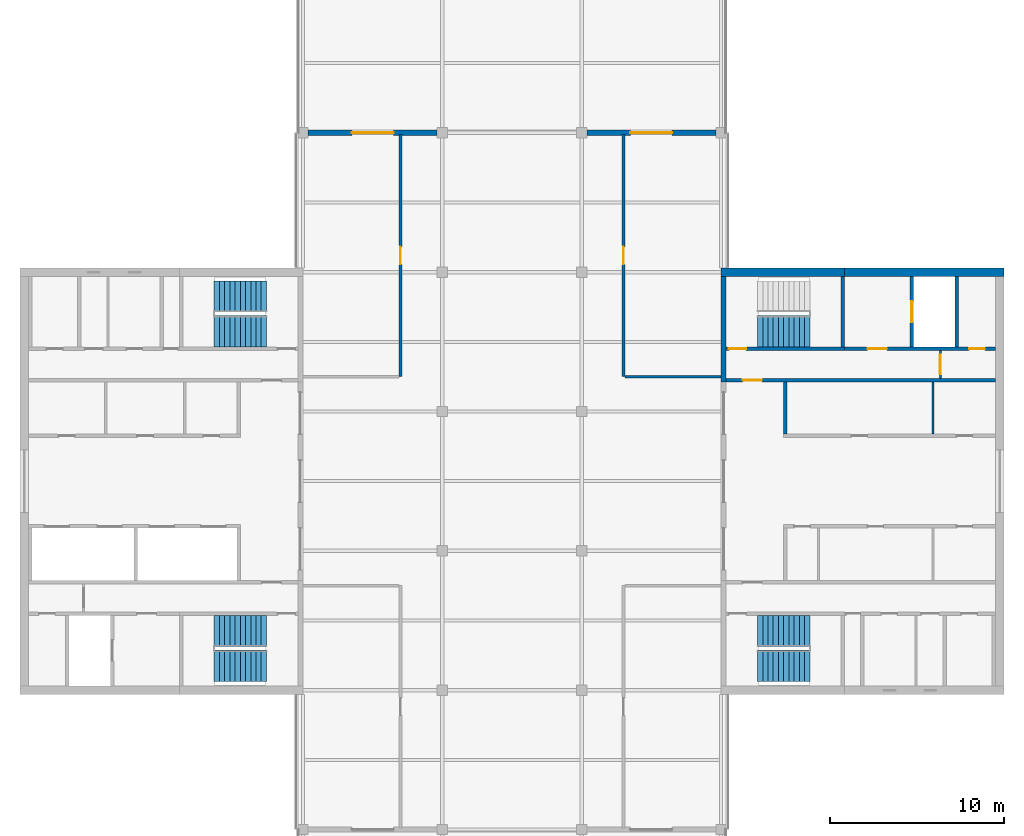
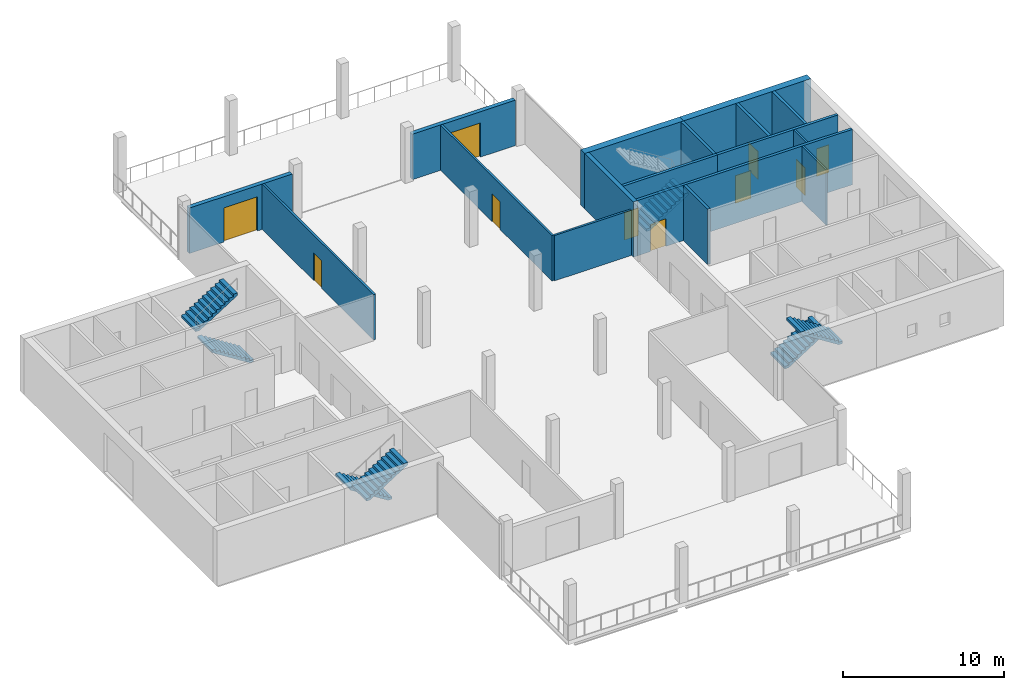
# One storey, part 10 of 12: 17 walls, 10 doors, 7 stair flights, 10 openings, 4 elements without a shape of their own.
"""IFC4 building model written with IfcOpenShell, lengths in metres."""

from ifc_helpers import new_model, si_unit, direction, frame, frame_2d, origin, place, context, subcontext, project, spatial, polyline, rectangle, outline, extrude, material, layer, layer_set, constituent, constituent_set, type_object, element, fill, aggregate, save


model = new_model("IFC4")

# Units and contexts
model_context = context("Model", 3, precision=1e-05, world=origin(), true_north=direction((0.0, 1.0)))
body_context = subcontext(model_context, "Body", "Model", "MODEL_VIEW")
ifc_project = project(units=[si_unit("LENGTHUNIT", "METRE"), si_unit("AREAUNIT", "SQUARE_METRE"), si_unit("VOLUMEUNIT", "CUBIC_METRE"), si_unit("PLANEANGLEUNIT", "RADIAN"), si_unit("MASSUNIT", "GRAM", prefix="KILO")], contexts=[model_context])

# Site, building, storey
site_placement = place(None, origin())
site = spatial("IfcSite", under=ifc_project, at=site_placement, CompositionType="ELEMENT")
building_placement = place(site_placement, origin())
building = spatial("IfcBuilding", under=site, at=building_placement, Name="Crosswind Convention Tower", CompositionType="ELEMENT")
storey_placement = place(building_placement, frame((0.0, 0.0, 332.300048828125)))
storey = spatial("IfcBuildingStorey", under=building, at=storey_placement, Name="L72", CompositionType="ELEMENT", Elevation=332.300048828125)

# Walls
ifc_material_1 = material(Name="Concrete C50/60", Category="concrete")
ifc_layer_1 = layer(ifc_material_1, 0.300048828125)
ifc_layer_set_1 = layer_set([ifc_layer_1], Name="Concrete C50/60")
wall_type_1 = type_object("IfcWallType", Name="Concrete inner core wall 300", PredefinedType="SHEAR", material=ifc_layer_set_1)
wall_1_placement = place(storey_placement, frame((137.14990234375, 105.699951171875, 0.0), z_axis=(0.0, 0.0, 1.0), x_axis=(0.0, 1.0, 0.0)))
element("IfcWall", 1, at=wall_1_placement, inside=storey, type_object=wall_type_1, Name="Wall EP E L72", PredefinedType="SHEAR", context=body_context, shape_type="SweptSolid", body=[
    extrude(rectangle(XDim=6.050048828125, YDim=0.300048828125, at=frame_2d((3.02490234375, 0.0))), origin(), (0.0, 0.0, 1.0), 4.199951171875),
])
ifc_layer_2 = layer(ifc_material_1, 0.199951171875)
ifc_layer_set_2 = layer_set([ifc_layer_2], Name="Concrete C50/60")
wall_type_2 = type_object("IfcWallType", Name="Concrete shaft and stair wall 200", PredefinedType="SHEAR", material=ifc_layer_set_2)
wall_2_placement = place(storey_placement, frame((140.699951171875, 102.699951171875, 0.0), z_axis=(0.0, 0.0, 1.0), x_axis=(0.0, 1.0, 0.0)))
element("IfcWall", 2, at=wall_2_placement, inside=storey, type_object=wall_type_2, Name="Wall RPEND E L72", PredefinedType="SHEAR", context=body_context, shape_type="SweptSolid", body=[
    extrude(rectangle(XDim=3.0, YDim=0.199951171875, at=frame_2d((1.5, 0.0))), origin(), (0.0, 0.0, 1.0), 4.199951171875),
])

# Wall, opening, door
wall_3_placement = place(storey_placement, frame((137.300048828125, 105.800048828125, 0.0), z_axis=(0.0, 0.0, 1.0), x_axis=(1.0, 0.0, 0.0)))
wall_3 = element("IfcWall", 3, at=wall_3_placement, inside=storey, type_object=wall_type_2, Name="Wall HP E L72", PredefinedType="SHEAR", context=body_context, shape_type="SweptSolid", body=[
    extrude(rectangle(XDim=15.449951171875, YDim=0.199951171875, at=frame_2d((7.72509765625, 0.0))), origin(), (0.0, 0.0, 1.0), 4.199951171875),
])
opening_1_placement = place(wall_3_placement, frame((0.949951171875, 0.0, 0.0)))
opening_1 = element("IfcOpeningElement", 4, at=opening_1_placement, cuts=wall_3, Name="Opening D104", PredefinedType="OPENING", context=body_context, shape_type="SweptSolid", body=[
    extrude(rectangle(XDim=1.10009765625, YDim=2.10009765625, at=frame_2d((0.550048828125, 1.050048828125))), frame((0.0, 0.10986328125, 0.0), z_axis=(0.0, -1.0, 0.0), x_axis=(1.0, 0.0, 0.0)), (0.0, 0.0, 1.0), 0.219970703125),
])
ifc_material_2 = material(Name="Steel fire door", Category="steel")
door_type_1 = type_object("IfcDoorType", Name="Fire-rated single door 1100x2100", OperationType="NOTDEFINED", PredefinedType="DOOR", material=ifc_material_2)
door_1_placement = place(opening_1_placement, origin())
door_1 = element("IfcDoor", 5, at=door_1_placement, inside=storey, type_object=door_type_1, Name="Corridor door L72", ObjectType="D104", OperationType="SINGLE_SWING_LEFT", OverallHeight=2.10009765625, OverallWidth=1.10009765625, PredefinedType="DOOR", context=body_context, shape_type="SweptSolid", body=[
    extrude(rectangle(XDim=1.10009765625, YDim=2.10009765625, at=frame_2d((0.550048828125, 1.050048828125))), frame((0.0, 0.02490234375, 0.0), z_axis=(0.0, -1.0, 0.0), x_axis=(1.0, 0.0, 0.0)), (0.0, 0.0, 1.0), 0.050048828125),
])
fill(opening_1, door_1)

# Wall
wall_4_placement = place(storey_placement, frame((144.0, 107.699951171875, 0.0), z_axis=(0.0, 0.0, 1.0), x_axis=(0.0, 1.0, 0.0)))
element("IfcWall", 6, at=wall_4_placement, inside=storey, type_object=wall_type_2, Name="Wall PSE E L72", PredefinedType="SHEAR", context=body_context, shape_type="SweptSolid", body=[
    extrude(rectangle(XDim=4.050048828125, YDim=0.199951171875, at=frame_2d((2.02490234375, 0.0))), origin(), (0.0, 0.0, 1.0), 4.199951171875),
])

# Wall, opening, door
wall_5_placement = place(storey_placement, frame((147.949951171875, 107.699951171875, 0.0), z_axis=(0.0, 0.0, 1.0), x_axis=(0.0, 1.0, 0.0)))
wall_5 = element("IfcWall", 7, at=wall_5_placement, inside=storey, type_object=wall_type_2, Name="Wall PFLW E L72", PredefinedType="SHEAR", context=body_context, shape_type="SweptSolid", body=[
    extrude(rectangle(XDim=4.050048828125, YDim=0.199951171875, at=frame_2d((2.02490234375, 0.0))), origin(), (0.0, 0.0, 1.0), 4.199951171875),
])
opening_2_placement = place(wall_5_placement, frame((1.425048828125, 0.0, 0.0)))
opening_2 = element("IfcOpeningElement", 8, at=opening_2_placement, cuts=wall_5, Name="Opening LD1", PredefinedType="OPENING", context=body_context, shape_type="SweptSolid", body=[
    extrude(rectangle(XDim=1.199951171875, YDim=2.10009765625, at=frame_2d((0.60009765625, 1.050048828125))), frame((0.0, 0.10986328125, 0.0), z_axis=(0.0, -1.0, 0.0), x_axis=(1.0, 0.0, 0.0)), (0.0, 0.0, 1.0), 0.219970703125),
])
ifc_material_3 = material(Name="Stainless steel", Category="steel")
door_type_2 = type_object("IfcDoorType", Name="Lift landing door 1200x2100", OperationType="DOUBLE_DOOR_SLIDING", PredefinedType="DOOR", material=ifc_material_3)
door_2_placement = place(opening_2_placement, origin())
door_2 = element("IfcDoor", 9, at=door_2_placement, inside=storey, type_object=door_type_2, Name="Landing door FF1 L72", ObjectType="LD1", OperationType="DOUBLE_DOOR_SLIDING", OverallHeight=2.10009765625, OverallWidth=1.199951171875, PredefinedType="DOOR", context=body_context, shape_type="SweptSolid", body=[
    extrude(rectangle(XDim=1.199951171875, YDim=2.10009765625, at=frame_2d((0.60009765625, 1.050048828125))), frame((0.0, 0.02490234375, 0.0), z_axis=(0.0, -1.0, 0.0), x_axis=(1.0, 0.0, 0.0)), (0.0, 0.0, 1.0), 0.050048828125),
])
fill(opening_2, door_2)

# Wall
wall_6_placement = place(storey_placement, frame((150.550048828125, 107.699951171875, 0.0), z_axis=(0.0, 0.0, 1.0), x_axis=(0.0, 1.0, 0.0)))
element("IfcWall", 10, at=wall_6_placement, inside=storey, type_object=wall_type_2, Name="Wall PFSE E L72", PredefinedType="SHEAR", context=body_context, shape_type="SweptSolid", body=[
    extrude(rectangle(XDim=4.050048828125, YDim=0.199951171875, at=frame_2d((2.02490234375, 0.0))), origin(), (0.0, 0.0, 1.0), 4.199951171875),
])

# Wall, opening, door
wall_7_placement = place(storey_placement, frame((137.300048828125, 107.60009765625, 0.0), z_axis=(0.0, 0.0, 1.0), x_axis=(1.0, 0.0, 0.0)))
wall_7 = element("IfcWall", 11, at=wall_7_placement, inside=storey, type_object=wall_type_2, Name="Wall PCW E L72", PredefinedType="SHEAR", context=body_context, shape_type="SweptSolid", body=[
    extrude(rectangle(XDim=6.800048828125, YDim=0.199951171875, at=frame_2d((3.39990234375, 0.0))), origin(), (0.0, 0.0, 1.0), 4.199951171875),
])
opening_3_placement = place(wall_7_placement, frame((0.14990234375, 0.0, 0.0)))
opening_3 = element("IfcOpeningElement", 12, at=opening_3_placement, cuts=wall_7, Name="Opening D103", PredefinedType="OPENING", context=body_context, shape_type="SweptSolid", body=[
    extrude(rectangle(XDim=1.0, YDim=2.10009765625, at=frame_2d((0.5, 1.050048828125))), frame((0.0, 0.10986328125, 0.0), z_axis=(0.0, -1.0, 0.0), x_axis=(1.0, 0.0, 0.0)), (0.0, 0.0, 1.0), 0.219970703125),
])
door_type_3 = type_object("IfcDoorType", Name="Fire-rated single door 1000x2100", OperationType="NOTDEFINED", PredefinedType="DOOR", material=ifc_material_2)
door_3_placement = place(opening_3_placement, origin())
door_3 = element("IfcDoor", 13, at=door_3_placement, inside=storey, type_object=door_type_3, Name="Stair ST1 door L72", ObjectType="D103", OperationType="SINGLE_SWING_LEFT", OverallHeight=2.10009765625, OverallWidth=1.0, PredefinedType="DOOR", context=body_context, shape_type="SweptSolid", body=[
    extrude(rectangle(XDim=1.0, YDim=2.10009765625, at=frame_2d((0.5, 1.050048828125))), frame((0.0, 0.02490234375, 0.0), z_axis=(0.0, -1.0, 0.0), x_axis=(1.0, 0.0, 0.0)), (0.0, 0.0, 1.0), 0.050048828125),
])
fill(opening_3, door_3)

# Wall, openings, doors
wall_8_placement = place(storey_placement, frame((144.10009765625, 107.60009765625, 0.0), z_axis=(0.0, 0.0, 1.0), x_axis=(1.0, 0.0, 0.0)))
wall_8 = element("IfcWall", 14, at=wall_8_placement, inside=storey, type_object=wall_type_2, Name="Wall PCX E L72", PredefinedType="SHEAR", context=body_context, shape_type="SweptSolid", body=[
    extrude(rectangle(XDim=8.64990234375, YDim=0.199951171875, at=frame_2d((4.324951171875, 0.0))), origin(), (0.0, 0.0, 1.0), 4.199951171875),
])
opening_4_placement = place(wall_8_placement, frame((1.324951171875, 0.0, 0.0)))
opening_4 = element("IfcOpeningElement", 15, at=opening_4_placement, cuts=wall_8, Name="Opening D104", PredefinedType="OPENING", context=body_context, shape_type="SweptSolid", body=[
    extrude(rectangle(XDim=1.10009765625, YDim=2.10009765625, at=frame_2d((0.550048828125, 1.050048828125))), frame((0.0, 0.10986328125, 0.0), z_axis=(0.0, -1.0, 0.0), x_axis=(1.0, 0.0, 0.0)), (0.0, 0.0, 1.0), 0.219970703125),
])
opening_5_placement = place(wall_8_placement, frame((7.14990234375, 0.0, 0.0)))
opening_5 = element("IfcOpeningElement", 16, at=opening_5_placement, cuts=wall_8, Name="Opening D106", PredefinedType="OPENING", context=body_context, shape_type="SweptSolid", body=[
    extrude(rectangle(XDim=0.89990234375, YDim=2.10009765625, at=frame_2d((0.449951171875, 1.050048828125))), frame((0.0, 0.10986328125, 0.0), z_axis=(0.0, -1.0, 0.0), x_axis=(1.0, 0.0, 0.0)), (0.0, 0.0, 1.0), 0.219970703125),
])
door_4_placement = place(opening_4_placement, origin())
door_4 = element("IfcDoor", 17, at=door_4_placement, inside=storey, type_object=door_type_1, Name="Fire-fighting lobby FF1 door L72", ObjectType="D104", OperationType="SINGLE_SWING_RIGHT", OverallHeight=2.10009765625, OverallWidth=1.10009765625, PredefinedType="DOOR", context=body_context, shape_type="SweptSolid", body=[
    extrude(rectangle(XDim=1.10009765625, YDim=2.10009765625, at=frame_2d((0.550048828125, 1.050048828125))), frame((0.0, 0.02490234375, 0.0), z_axis=(0.0, -1.0, 0.0), x_axis=(1.0, 0.0, 0.0)), (0.0, 0.0, 1.0), 0.050048828125),
])
fill(opening_4, door_4)
ifc_material_4 = material(Name="Timber door", Category="wood")
door_type_4 = type_object("IfcDoorType", Name="Single leaf door 900x2100", OperationType="NOTDEFINED", PredefinedType="DOOR", material=ifc_material_4)
door_5_placement = place(opening_5_placement, origin())
door_5 = element("IfcDoor", 18, at=door_5_placement, inside=storey, type_object=door_type_4, Name="Door to telecoms room L72", ObjectType="D106", OperationType="SINGLE_SWING_RIGHT", OverallHeight=2.10009765625, OverallWidth=0.89990234375, PredefinedType="DOOR", context=body_context, shape_type="SweptSolid", body=[
    extrude(rectangle(XDim=0.89990234375, YDim=2.10009765625, at=frame_2d((0.449951171875, 1.050048828125))), frame((0.0, 0.02490234375, 0.0), z_axis=(0.0, -1.0, 0.0), x_axis=(1.0, 0.0, 0.0)), (0.0, 0.0, 1.0), 0.050048828125),
])
fill(opening_5, door_5)

# Wall
ifc_material_5 = material(Name="Gypsum plasterboard partition", Category="gypsum")
ifc_layer_3 = layer(ifc_material_5, 0.125)
ifc_layer_set_3 = layer_set([ifc_layer_3], Name="Drywall partition wall 125")
wall_type_3 = type_object("IfcWallType", Name="Drywall partition wall 125", PredefinedType="PARTITIONING", material=ifc_layer_set_3)
wall_9_placement = place(storey_placement, frame((149.1650390625, 102.699951171875, 0.0), z_axis=(0.0, 0.0, 1.0), x_axis=(0.0, 1.0, 0.0)))
element("IfcWall", 19, at=wall_9_placement, inside=storey, type_object=wall_type_3, Name="Wall RPP1 E L72", PredefinedType="PARTITIONING", context=body_context, shape_type="SweptSolid", body=[
    extrude(rectangle(XDim=3.0, YDim=0.125, at=frame_2d((1.5, 0.0))), origin(), (0.0, 0.0, 1.0), 4.199951171875),
])

# Wall, opening, door
wall_10_placement = place(storey_placement, frame((149.60009765625, 105.89990234375, 0.0), z_axis=(0.0, 0.0, 1.0), x_axis=(0.0, 1.0, 0.0)))
wall_10 = element("IfcWall", 20, at=wall_10_placement, inside=storey, type_object=wall_type_3, Name="Wall PXC1 E L72", PredefinedType="PARTITIONING", context=body_context, shape_type="SweptSolid", body=[
    extrude(rectangle(XDim=1.60009765625, YDim=0.125, at=frame_2d((0.800048828125, 0.0))), origin(), (0.0, 0.0, 1.0), 4.199951171875),
])
opening_6_placement = place(wall_10_placement, frame((0.25, 0.0, 0.0)))
opening_6 = element("IfcOpeningElement", 21, at=opening_6_placement, cuts=wall_10, Name="Opening D104", PredefinedType="OPENING", context=body_context, shape_type="SweptSolid", body=[
    extrude(rectangle(XDim=1.10009765625, YDim=2.10009765625, at=frame_2d((0.550048828125, 1.050048828125))), frame((0.0, 0.072509765625, 0.0), z_axis=(0.0, -1.0, 0.0), x_axis=(1.0, 0.0, 0.0)), (0.0, 0.0, 1.0), 0.14501953125),
])
door_6_placement = place(opening_6_placement, origin())
door_6 = element("IfcDoor", 22, at=door_6_placement, inside=storey, type_object=door_type_1, Name="Corridor smoke door L72", ObjectType="D104", OperationType="SINGLE_SWING_RIGHT", OverallHeight=2.10009765625, OverallWidth=1.10009765625, PredefinedType="DOOR", context=body_context, shape_type="SweptSolid", body=[
    extrude(rectangle(XDim=1.10009765625, YDim=2.10009765625, at=frame_2d((0.550048828125, 1.050048828125))), frame((0.0, 0.02490234375, 0.0), z_axis=(0.0, -1.0, 0.0), x_axis=(1.0, 0.0, 0.0)), (0.0, 0.0, 1.0), 0.050048828125),
])
fill(opening_6, door_6)

ifc_material_6 = material(Name="Fire-board partition with mineral wool", Category="gypsum")
ifc_layer_4 = layer(ifc_material_6, 0.14990234375)
ifc_layer_set_4 = layer_set([ifc_layer_4], Name="TENANCY WALL 150 TWO-HOUR BOARD")
wall_type_4 = type_object("IfcWallType", Name="TENANCY WALL 150 TWO-HOUR BOARD", PredefinedType="PARTITIONING", material=ifc_layer_set_4)
wall_11_placement = place(storey_placement, frame((118.60009765625, 106.0, 0.0), z_axis=(0.0, 0.0, 1.0), x_axis=(0.0, 1.0, 0.0)))
wall_11 = element("IfcWall", 23, at=wall_11_placement, inside=storey, type_object=wall_type_4, Name="Tenancy wall WT41", PredefinedType="PARTITIONING", context=body_context, shape_type="SweptSolid", body=[
    extrude(rectangle(XDim=13.89990234375, YDim=0.14990234375, at=frame_2d((6.949951171875, 0.0))), origin(), (0.0, 0.0, 1.0), 3.44287109375),
])
opening_7_placement = place(wall_11_placement, frame((6.449951171875, 0.0, 0.0)))
opening_7 = element("IfcOpeningElement", 24, at=opening_7_placement, cuts=wall_11, Name="Opening L72-52", PredefinedType="OPENING", context=body_context, shape_type="SweptSolid", body=[
    extrude(rectangle(XDim=1.0, YDim=2.10009765625, at=frame_2d((0.5, 1.050048828125))), frame((0.0, 0.0849609375, 0.0), z_axis=(0.0, -1.0, 0.0), x_axis=(1.0, 0.0, 0.0)), (0.0, 0.0, 1.0), 0.169921875),
])
ifc_material_7 = material(Name="Timber fire door", Category="wood")
door_type_5 = type_object("IfcDoorType", Name="TENANCY ENTRANCE DOOR 1000X2100 FD30S", OperationType="NOTDEFINED", PredefinedType="DOOR", material=ifc_material_7)
door_7_placement = place(opening_7_placement, origin())
door_7 = element("IfcDoor", 25, at=door_7_placement, inside=storey, type_object=door_type_5, Name="Door L72-52", ObjectType="D41", OperationType="SINGLE_SWING_RIGHT", OverallHeight=2.10009765625, OverallWidth=1.0, PredefinedType="DOOR", context=body_context, shape_type="SweptSolid", body=[
    extrude(rectangle(XDim=1.0, YDim=2.10009765625, at=frame_2d((0.5, 1.050048828125))), frame((0.0, 0.02490234375, 0.0), z_axis=(0.0, -1.0, 0.0), x_axis=(1.0, 0.0, 0.0)), (0.0, 0.0, 1.0), 0.050048828125),
])
fill(opening_7, door_7)

wall_12_placement = place(storey_placement, frame((131.39990234375, 106.0, 0.0), z_axis=(0.0, 0.0, 1.0), x_axis=(0.0, 1.0, 0.0)))
wall_12 = element("IfcWall", 26, at=wall_12_placement, inside=storey, type_object=wall_type_4, Name="Tenancy wall WT41", PredefinedType="PARTITIONING", context=body_context, shape_type="SweptSolid", body=[
    extrude(rectangle(XDim=13.89990234375, YDim=0.14990234375, at=frame_2d((6.949951171875, 0.0))), origin(), (0.0, 0.0, 1.0), 3.44287109375),
])
opening_8_placement = place(wall_12_placement, frame((6.449951171875, 0.0, 0.0)))
opening_8 = element("IfcOpeningElement", 27, at=opening_8_placement, cuts=wall_12, Name="Opening L72-50", PredefinedType="OPENING", context=body_context, shape_type="SweptSolid", body=[
    extrude(rectangle(XDim=1.0, YDim=2.10009765625, at=frame_2d((0.5, 1.050048828125))), frame((0.0, 0.0849609375, 0.0), z_axis=(0.0, -1.0, 0.0), x_axis=(1.0, 0.0, 0.0)), (0.0, 0.0, 1.0), 0.169921875),
])
door_8_placement = place(opening_8_placement, frame((1.0, 0.0, 0.0), z_axis=(0.0, 0.0, 1.0), x_axis=(-1.0, 0.0, 0.0)))
door_8 = element("IfcDoor", 28, at=door_8_placement, inside=storey, type_object=door_type_5, Name="Door L72-50", ObjectType="D41", OperationType="SINGLE_SWING_LEFT", OverallHeight=2.10009765625, OverallWidth=1.0, PredefinedType="DOOR", context=body_context, shape_type="SweptSolid", body=[
    extrude(rectangle(XDim=1.0, YDim=2.10009765625, at=frame_2d((0.5, 1.050048828125))), frame((0.0, 0.02490234375, 0.0), z_axis=(0.0, -1.0, 0.0), x_axis=(1.0, 0.0, 0.0)), (0.0, 0.0, 1.0), 0.050048828125),
])
fill(opening_8, door_8)

# Wall
wall_13_placement = place(storey_placement, frame((131.47509765625, 106.0, 0.0), z_axis=(0.0, 0.0, 1.0), x_axis=(1.0, 0.0, 0.0)))
element("IfcWall", 29, at=wall_13_placement, inside=storey, type_object=wall_type_4, Name="Tenancy wall WT41", PredefinedType="PARTITIONING", context=body_context, shape_type="SweptSolid", body=[
    extrude(rectangle(XDim=5.52490234375, YDim=0.14990234375, at=frame_2d((2.762451171875, 0.0))), origin(), (0.0, 0.0, 1.0), 3.44287109375),
])

# Wall, opening, door
ifc_material_8 = material(Name="Terracotta rainscreen", Category="ceramic")
ifc_layer_5 = layer(ifc_material_8, 0.02001953125)
ifc_material_9 = material(Name="Mineral wool insulation", Category="insulation")
ifc_layer_6 = layer(ifc_material_9, 0.10009765625)
ifc_material_10 = material(Name="Concrete blockwork", Category="masonry")
ifc_layer_7 = layer(ifc_material_10, 0.179931640625)
ifc_layer_set_5 = layer_set([ifc_layer_5, ifc_layer_6, ifc_layer_7], Name="TERRACOTTA INFILL WALL 300")
wall_type_5 = type_object("IfcWallType", Name="TERRACOTTA INFILL WALL 300", PredefinedType="SOLIDWALL", material=ifc_layer_set_5)
wall_14_placement = place(storey_placement, frame((113.300048828125, 120.0, 0.0), z_axis=(0.0, 0.0, 1.0), x_axis=(1.0, 0.0, 0.0)))
wall_14 = element("IfcWall", 30, at=wall_14_placement, inside=storey, type_object=wall_type_5, Name="Portal front wall L72 N 1", PredefinedType="SOLIDWALL", context=body_context, shape_type="SweptSolid", body=[
    extrude(rectangle(XDim=7.39990234375, YDim=0.300048828125, at=frame_2d((3.699951171875, 0.0))), origin(), (0.0, 0.0, 1.0), 3.4462890625),
])
opening_9_placement = place(wall_14_placement, frame((2.5, 0.0, 0.0)))
opening_9 = element("IfcOpeningElement", 31, at=opening_9_placement, cuts=wall_14, Name="Opening D142", PredefinedType="OPENING", context=body_context, shape_type="SweptSolid", body=[
    extrude(rectangle(XDim=2.39990234375, YDim=2.60009765625, at=frame_2d((1.199951171875, 1.300048828125))), frame((0.0, 0.159912109375, 0.0), z_axis=(0.0, -1.0, 0.0), x_axis=(1.0, 0.0, 0.0)), (0.0, 0.0, 1.0), 0.320068359375),
])
ifc_material_11 = material(Name="Aluminium glazed door", Category="aluminium")
door_type_6 = type_object("IfcDoorType", Name="SKY DECK DOUBLE DOOR 2400X2600", OperationType="DOUBLE_DOOR_SINGLE_SWING", PredefinedType="DOOR", material=ifc_material_11)
door_9_placement = place(opening_9_placement, origin())
door_9 = element("IfcDoor", 32, at=door_9_placement, inside=storey, type_object=door_type_6, Name="D142 sky deck door L72 N 1", ObjectType="D142", OperationType="DOUBLE_DOOR_SINGLE_SWING", OverallHeight=2.60009765625, OverallWidth=2.39990234375, PredefinedType="DOOR", context=body_context, shape_type="SweptSolid", body=[
    extrude(rectangle(XDim=2.39990234375, YDim=2.60009765625, at=frame_2d((1.199951171875, 1.300048828125))), frame((0.0, 0.02490234375, 0.0), z_axis=(0.0, -1.0, 0.0), x_axis=(1.0, 0.0, 0.0)), (0.0, 0.0, 1.0), 0.050048828125),
])
fill(opening_9, door_9)

wall_15_placement = place(storey_placement, frame((129.300048828125, 120.0, 0.0), z_axis=(0.0, 0.0, 1.0), x_axis=(1.0, 0.0, 0.0)))
wall_15 = element("IfcWall", 33, at=wall_15_placement, inside=storey, type_object=wall_type_5, Name="Portal front wall L72 N 3", PredefinedType="SOLIDWALL", context=body_context, shape_type="SweptSolid", body=[
    extrude(rectangle(XDim=7.39990234375, YDim=0.300048828125, at=frame_2d((3.699951171875, 0.0))), origin(), (0.0, 0.0, 1.0), 3.4462890625),
])
opening_10_placement = place(wall_15_placement, frame((2.5, 0.0, 0.0)))
opening_10 = element("IfcOpeningElement", 34, at=opening_10_placement, cuts=wall_15, Name="Opening D142", PredefinedType="OPENING", context=body_context, shape_type="SweptSolid", body=[
    extrude(rectangle(XDim=2.39990234375, YDim=2.60009765625, at=frame_2d((1.199951171875, 1.300048828125))), frame((0.0, 0.159912109375, 0.0), z_axis=(0.0, -1.0, 0.0), x_axis=(1.0, 0.0, 0.0)), (0.0, 0.0, 1.0), 0.320068359375),
])
door_10_placement = place(opening_10_placement, origin())
door_10 = element("IfcDoor", 35, at=door_10_placement, inside=storey, type_object=door_type_6, Name="D142 sky deck door L72 N 3", ObjectType="D142", OperationType="DOUBLE_DOOR_SINGLE_SWING", OverallHeight=2.60009765625, OverallWidth=2.39990234375, PredefinedType="DOOR", context=body_context, shape_type="SweptSolid", body=[
    extrude(rectangle(XDim=2.39990234375, YDim=2.60009765625, at=frame_2d((1.199951171875, 1.300048828125))), frame((0.0, 0.02490234375, 0.0), z_axis=(0.0, -1.0, 0.0), x_axis=(1.0, 0.0, 0.0)), (0.0, 0.0, 1.0), 0.050048828125),
])
fill(opening_10, door_10)

# Walls
ifc_material_12 = material(Name="Concrete C60/75", Category="concrete")
ifc_constituent_1 = constituent(ifc_material_12, Name="Structure")
ifc_constituent_2 = constituent(ifc_material_8, Name="Facing")
ifc_constituent_set = constituent_set(constituents=[ifc_constituent_1, ifc_constituent_2], Name="Concrete C60/75, Terracotta rainscreen")
wall_type_6 = type_object("IfcWallType", Name="Terracotta rainscreen on concrete core wall 500", PredefinedType="SHEAR", material=ifc_constituent_set)
wall_16_placement = place(storey_placement, frame((137.0, 112.0, 0.0), z_axis=(0.0, 0.0, 1.0), x_axis=(1.0, 0.0, 0.0)))
element("IfcWall", 36, at=wall_16_placement, inside=storey, type_object=wall_type_6, Name="Wall N1 E L72", PredefinedType="SHEAR", context=body_context, shape_type="SweptSolid", body=[
    extrude(rectangle(XDim=7.10009765625, YDim=0.5, at=frame_2d((3.550048828125, 0.0))), origin(), (0.0, 0.0, 1.0), 4.199951171875),
])
wall_17_placement = place(storey_placement, frame((144.10009765625, 112.0, 0.0), z_axis=(0.0, 0.0, 1.0), x_axis=(1.0, 0.0, 0.0)))
element("IfcWall", 37, at=wall_17_placement, inside=storey, type_object=wall_type_6, Name="Wall N2 E L72", PredefinedType="SHEAR", context=body_context, shape_type="SweptSolid", body=[
    extrude(rectangle(XDim=9.14990234375, YDim=0.5, at=frame_2d((4.574951171875, 0.0))), origin(), (0.0, 0.0, 1.0), 4.199951171875),
])

# Stair, stair flight
ifc_material_13 = material(Name="Concrete C40/50", Category="concrete")
stair_type = type_object("IfcStairType", Name="Exit stair 1800 wide, 2 flights of 11 risers", PredefinedType="HALF_TURN_STAIR", material=ifc_material_13)
stair_1_placement = place(storey_placement, origin())
stair_1 = element("IfcStair", 38, at=stair_1_placement, inside=storey, type_object=stair_type, Name="Exit stair ST1 L72", ObjectType="ST5", PredefinedType="HALF_TURN_STAIR")
stair_flight_type = type_object("IfcStairFlightType", Name="Stair flight 1800 wide, 11 risers (SF4)", PredefinedType="STRAIGHT", material=ifc_material_13)
stair_flight_1_placement = place(storey_placement, frame((139.10009765625, 108.60009765625, 0.0), z_axis=(0.0, 0.0, 1.0), x_axis=(1.0, 0.0, 0.0)))
stair_flight_1 = element("IfcStairFlight", 39, at=stair_flight_1_placement, type_object=stair_flight_type, Name="ST1 flight 1", NumberOfRisers=11, NumberOfTreads=10, PredefinedType="STRAIGHT", RiserHeight=0.190909091, TreadLength=0.3, context=body_context, shape_type="SweptSolid", body=[
    extrude(outline(polyline([(0.0, 0.0), (0.0, 0.19091796875), (0.300048828125, 0.19091796875), (0.300048828125, 0.3818359375), (0.60009765625, 0.3818359375), (0.60009765625, 0.57275390625), (0.89990234375, 0.57275390625), (0.89990234375, 0.763671875), (1.199951171875, 0.763671875), (1.199951171875, 0.95458984375), (1.5, 0.95458984375), (1.5, 1.1455078125), (1.800048828125, 1.1455078125), (1.800048828125, 1.33642578125), (2.10009765625, 1.33642578125), (2.10009765625, 1.52734375), (2.39990234375, 1.52734375), (2.39990234375, 1.71826171875), (2.699951171875, 1.71826171875), (2.699951171875, 1.9091796875), (3.0, 1.9091796875), (3.0, 2.10009765625), (3.0, 1.7314453125), (0.279296875, 0.0), (0.0, 0.0)])), frame((0.0, 0.89990234375, 0.0), z_axis=(0.0, -1.0, 0.0), x_axis=(1.0, 0.0, 0.0)), (0.0, 0.0, 1.0), 1.800048828125),
])
aggregate(stair_1, [stair_flight_1])

# Stair, stair flights
stair_2_placement = place(storey_placement, origin())
stair_2 = element("IfcStair", 40, at=stair_2_placement, inside=storey, type_object=stair_type, Name="Exit stair ST2 L72", ObjectType="ST5", PredefinedType="HALF_TURN_STAIR")
stair_flight_2_placement = place(storey_placement, frame((139.10009765625, 91.39990234375, 0.0), z_axis=(0.0, 0.0, 1.0), x_axis=(1.0, 0.0, 0.0)))
stair_flight_2 = element("IfcStairFlight", 41, at=stair_flight_2_placement, type_object=stair_flight_type, Name="ST2 flight 1", NumberOfRisers=11, NumberOfTreads=10, PredefinedType="STRAIGHT", RiserHeight=0.190909091, TreadLength=0.3, context=body_context, shape_type="SweptSolid", body=[
    extrude(outline(polyline([(0.0, 0.0), (0.0, 0.19091796875), (0.300048828125, 0.19091796875), (0.300048828125, 0.3818359375), (0.60009765625, 0.3818359375), (0.60009765625, 0.57275390625), (0.89990234375, 0.57275390625), (0.89990234375, 0.763671875), (1.199951171875, 0.763671875), (1.199951171875, 0.95458984375), (1.5, 0.95458984375), (1.5, 1.1455078125), (1.800048828125, 1.1455078125), (1.800048828125, 1.33642578125), (2.10009765625, 1.33642578125), (2.10009765625, 1.52734375), (2.39990234375, 1.52734375), (2.39990234375, 1.71826171875), (2.699951171875, 1.71826171875), (2.699951171875, 1.9091796875), (3.0, 1.9091796875), (3.0, 2.10009765625), (3.0, 1.7314453125), (0.279296875, 0.0), (0.0, 0.0)])), frame((0.0, 0.89990234375, 0.0), z_axis=(0.0, -1.0, 0.0), x_axis=(1.0, 0.0, 0.0)), (0.0, 0.0, 1.0), 1.800048828125),
])
stair_flight_3_placement = place(storey_placement, frame((142.10009765625, 89.39990234375, 2.099853515625), z_axis=(0.0, 0.0, 1.0), x_axis=(-1.0, 0.0, 0.0)))
stair_flight_3 = element("IfcStairFlight", 42, at=stair_flight_3_placement, type_object=stair_flight_type, Name="ST2 flight 2", NumberOfRisers=11, NumberOfTreads=10, PredefinedType="STRAIGHT", RiserHeight=0.190909091, TreadLength=0.3, context=body_context, shape_type="SweptSolid", body=[
    extrude(outline(polyline([(0.0, 0.0), (0.0, 0.19091796875), (0.300048828125, 0.19091796875), (0.300048828125, 0.3818359375), (0.60009765625, 0.3818359375), (0.60009765625, 0.57275390625), (0.89990234375, 0.57275390625), (0.89990234375, 0.763671875), (1.199951171875, 0.763671875), (1.199951171875, 0.95458984375), (1.5, 0.95458984375), (1.5, 1.1455078125), (1.800048828125, 1.1455078125), (1.800048828125, 1.33642578125), (2.10009765625, 1.33642578125), (2.10009765625, 1.52734375), (2.39990234375, 1.52734375), (2.39990234375, 1.71826171875), (2.699951171875, 1.71826171875), (2.699951171875, 1.9091796875), (3.0, 1.9091796875), (3.0, 2.10009765625), (3.0, 1.7314453125), (0.279296875, 0.0), (0.0, 0.0)])), frame((0.0, 0.89990234375, 0.0), z_axis=(0.0, -1.0, 0.0), x_axis=(1.0, 0.0, 0.0)), (0.0, 0.0, 1.0), 1.800048828125),
])
aggregate(stair_2, [stair_flight_2, stair_flight_3])

stair_3_placement = place(storey_placement, origin())
stair_3 = element("IfcStair", 43, at=stair_3_placement, inside=storey, type_object=stair_type, Name="Exit stair ST3 L72", ObjectType="ST5", PredefinedType="HALF_TURN_STAIR")
stair_flight_4_placement = place(storey_placement, frame((110.89990234375, 91.39990234375, 0.0), z_axis=(0.0, 0.0, 1.0), x_axis=(-1.0, 0.0, 0.0)))
stair_flight_4 = element("IfcStairFlight", 44, at=stair_flight_4_placement, type_object=stair_flight_type, Name="ST3 flight 1", NumberOfRisers=11, NumberOfTreads=10, PredefinedType="STRAIGHT", RiserHeight=0.190909091, TreadLength=0.3, context=body_context, shape_type="SweptSolid", body=[
    extrude(outline(polyline([(0.0, 0.0), (0.0, 0.19091796875), (0.300048828125, 0.19091796875), (0.300048828125, 0.3818359375), (0.60009765625, 0.3818359375), (0.60009765625, 0.57275390625), (0.89990234375, 0.57275390625), (0.89990234375, 0.763671875), (1.199951171875, 0.763671875), (1.199951171875, 0.95458984375), (1.5, 0.95458984375), (1.5, 1.1455078125), (1.800048828125, 1.1455078125), (1.800048828125, 1.33642578125), (2.10009765625, 1.33642578125), (2.10009765625, 1.52734375), (2.39990234375, 1.52734375), (2.39990234375, 1.71826171875), (2.699951171875, 1.71826171875), (2.699951171875, 1.9091796875), (3.0, 1.9091796875), (3.0, 2.10009765625), (3.0, 1.7314453125), (0.279296875, 0.0), (0.0, 0.0)])), frame((0.0, 0.89990234375, 0.0), z_axis=(0.0, -1.0, 0.0), x_axis=(1.0, 0.0, 0.0)), (0.0, 0.0, 1.0), 1.800048828125),
])
stair_flight_5_placement = place(storey_placement, frame((107.89990234375, 89.39990234375, 2.099853515625), z_axis=(0.0, 0.0, 1.0), x_axis=(1.0, 0.0, 0.0)))
stair_flight_5 = element("IfcStairFlight", 45, at=stair_flight_5_placement, type_object=stair_flight_type, Name="ST3 flight 2", NumberOfRisers=11, NumberOfTreads=10, PredefinedType="STRAIGHT", RiserHeight=0.190909091, TreadLength=0.3, context=body_context, shape_type="SweptSolid", body=[
    extrude(outline(polyline([(0.0, 0.0), (0.0, 0.19091796875), (0.300048828125, 0.19091796875), (0.300048828125, 0.3818359375), (0.60009765625, 0.3818359375), (0.60009765625, 0.57275390625), (0.89990234375, 0.57275390625), (0.89990234375, 0.763671875), (1.199951171875, 0.763671875), (1.199951171875, 0.95458984375), (1.5, 0.95458984375), (1.5, 1.1455078125), (1.800048828125, 1.1455078125), (1.800048828125, 1.33642578125), (2.10009765625, 1.33642578125), (2.10009765625, 1.52734375), (2.39990234375, 1.52734375), (2.39990234375, 1.71826171875), (2.699951171875, 1.71826171875), (2.699951171875, 1.9091796875), (3.0, 1.9091796875), (3.0, 2.10009765625), (3.0, 1.7314453125), (0.279296875, 0.0), (0.0, 0.0)])), frame((0.0, 0.89990234375, 0.0), z_axis=(0.0, -1.0, 0.0), x_axis=(1.0, 0.0, 0.0)), (0.0, 0.0, 1.0), 1.800048828125),
])
aggregate(stair_3, [stair_flight_4, stair_flight_5])

stair_4_placement = place(storey_placement, origin())
stair_4 = element("IfcStair", 46, at=stair_4_placement, inside=storey, type_object=stair_type, Name="Exit stair ST4 L72", ObjectType="ST5", PredefinedType="HALF_TURN_STAIR")
stair_flight_6_placement = place(storey_placement, frame((110.89990234375, 108.60009765625, 0.0), z_axis=(0.0, 0.0, 1.0), x_axis=(-1.0, 0.0, 0.0)))
stair_flight_6 = element("IfcStairFlight", 47, at=stair_flight_6_placement, type_object=stair_flight_type, Name="ST4 flight 1", NumberOfRisers=11, NumberOfTreads=10, PredefinedType="STRAIGHT", RiserHeight=0.190909091, TreadLength=0.3, context=body_context, shape_type="SweptSolid", body=[
    extrude(outline(polyline([(0.0, 0.0), (0.0, 0.19091796875), (0.300048828125, 0.19091796875), (0.300048828125, 0.3818359375), (0.60009765625, 0.3818359375), (0.60009765625, 0.57275390625), (0.89990234375, 0.57275390625), (0.89990234375, 0.763671875), (1.199951171875, 0.763671875), (1.199951171875, 0.95458984375), (1.5, 0.95458984375), (1.5, 1.1455078125), (1.800048828125, 1.1455078125), (1.800048828125, 1.33642578125), (2.10009765625, 1.33642578125), (2.10009765625, 1.52734375), (2.39990234375, 1.52734375), (2.39990234375, 1.71826171875), (2.699951171875, 1.71826171875), (2.699951171875, 1.9091796875), (3.0, 1.9091796875), (3.0, 2.10009765625), (3.0, 1.7314453125), (0.279296875, 0.0), (0.0, 0.0)])), frame((0.0, 0.89990234375, 0.0), z_axis=(0.0, -1.0, 0.0), x_axis=(1.0, 0.0, 0.0)), (0.0, 0.0, 1.0), 1.800048828125),
])
stair_flight_7_placement = place(storey_placement, frame((107.89990234375, 110.60009765625, 2.099853515625), z_axis=(0.0, 0.0, 1.0), x_axis=(1.0, 0.0, 0.0)))
stair_flight_7 = element("IfcStairFlight", 48, at=stair_flight_7_placement, type_object=stair_flight_type, Name="ST4 flight 2", NumberOfRisers=11, NumberOfTreads=10, PredefinedType="STRAIGHT", RiserHeight=0.190909091, TreadLength=0.3, context=body_context, shape_type="SweptSolid", body=[
    extrude(outline(polyline([(0.0, 0.0), (0.0, 0.19091796875), (0.300048828125, 0.19091796875), (0.300048828125, 0.3818359375), (0.60009765625, 0.3818359375), (0.60009765625, 0.57275390625), (0.89990234375, 0.57275390625), (0.89990234375, 0.763671875), (1.199951171875, 0.763671875), (1.199951171875, 0.95458984375), (1.5, 0.95458984375), (1.5, 1.1455078125), (1.800048828125, 1.1455078125), (1.800048828125, 1.33642578125), (2.10009765625, 1.33642578125), (2.10009765625, 1.52734375), (2.39990234375, 1.52734375), (2.39990234375, 1.71826171875), (2.699951171875, 1.71826171875), (2.699951171875, 1.9091796875), (3.0, 1.9091796875), (3.0, 2.10009765625), (3.0, 1.7314453125), (0.279296875, 0.0), (0.0, 0.0)])), frame((0.0, 0.89990234375, 0.0), z_axis=(0.0, -1.0, 0.0), x_axis=(1.0, 0.0, 0.0)), (0.0, 0.0, 1.0), 1.800048828125),
])
aggregate(stair_4, [stair_flight_6, stair_flight_7])

save(model, "model.ifc")
